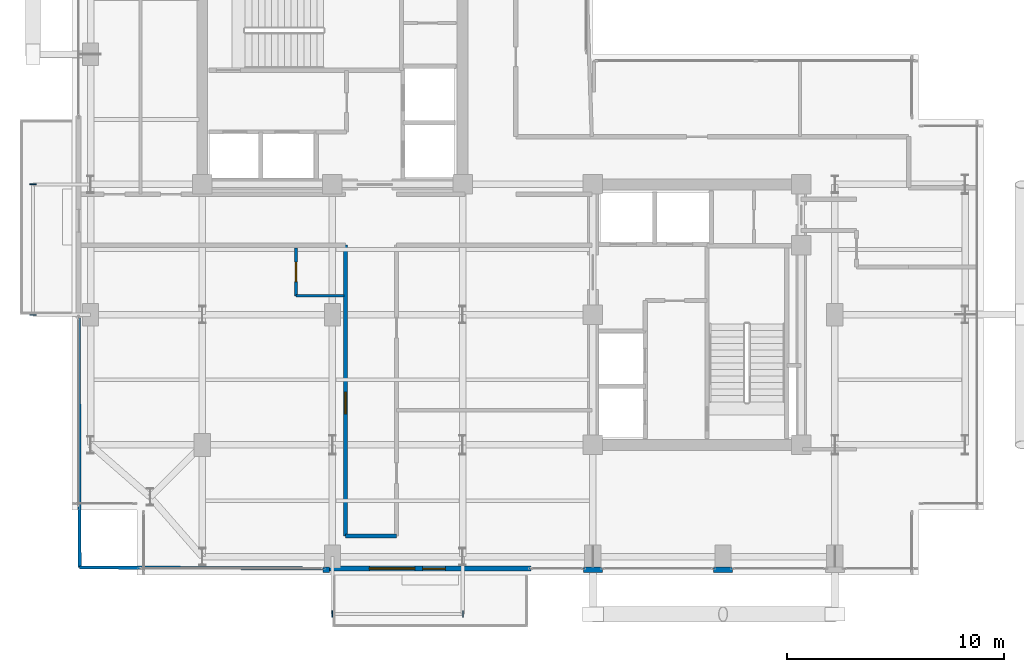
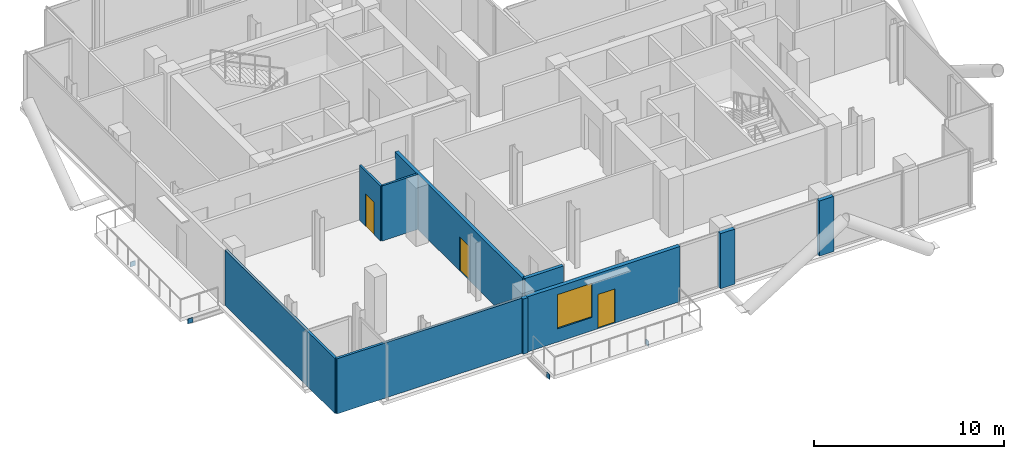
# One storey, part 16 of 21: 10 walls, 4 plates, 3 doors, 1 window, 4 openings.
"""IFC4 building model written with IfcOpenShell, lengths in metres."""

from ifc_helpers import new_model, si_unit, direction, frame, frame_2d, origin, origin_2d, place, context, subcontext, project, spatial, rectangle, extrude, material, layer, layer_set, type_object, element, fill, save


model = new_model("IFC4")

# Units and contexts
model_context = context("Model", 3, precision=1e-05, world=origin(), true_north=direction((0.0, 1.0)))
body_context = subcontext(model_context, "Body", "Model", "MODEL_VIEW")
ifc_project = project(units=[si_unit("LENGTHUNIT", "METRE"), si_unit("AREAUNIT", "SQUARE_METRE"), si_unit("VOLUMEUNIT", "CUBIC_METRE"), si_unit("PLANEANGLEUNIT", "RADIAN"), si_unit("MASSUNIT", "GRAM", prefix="KILO"), si_unit("THERMODYNAMICTEMPERATUREUNIT", "KELVIN"), si_unit("POWERUNIT", "WATT")], contexts=[model_context])

# Site, building, storey
site_placement = place(None, origin())
site = spatial("IfcSite", under=ifc_project, at=site_placement, CompositionType="ELEMENT")
building_placement = place(site_placement, origin())
building = spatial("IfcBuilding", under=site, at=building_placement, Name="Svarakhadi Broadcast Tower", CompositionType="ELEMENT")
storey_placement = place(building_placement, frame((0.0, 0.0, 223.64990234375)))
storey = spatial("IfcBuildingStorey", under=building, at=storey_placement, Name="L55", CompositionType="ELEMENT", Elevation=223.64990234375)

# Plates
ifc_material_1 = material(Name="Steel S460ML (IS 2062 E450BR)", Category="steel")
ifc_layer_1 = layer(ifc_material_1, 0.028076171875)
ifc_layer_set_1 = layer_set([ifc_layer_1], Name="Steel S460ML (IS 2062 E450BR)")
plate_type = type_object("IfcPlateType", Name="Cap_Plate_CP02", PredefinedType="USERDEFINED", material=ifc_layer_set_1)
for number, where, z_axis, x_axis, name in (
    (1, (11.985107421875, -1.800048828125, -0.5048828125), (0.0, 0.0, 1.0), (1.0, 0.0, 0.0), "L55 Balcony Spandrel End Cap Plate 1F-A"),
    (2, (18.014892578125, -1.800048828125, -0.5048828125), (0.0, 0.0, 1.0), (1.0, 0.0, 0.0), "L55 Balcony Spandrel End Cap Plate 1F-B"),
):
    element("IfcPlate", number, at=place(storey_placement, frame(where, z_axis=z_axis, x_axis=x_axis)), inside=storey, type_object=plate_type, Name=name, ObjectType="FLANGE_PLATE", PredefinedType="USERDEFINED", context=body_context, shape_type="SweptSolid", body=[
        extrude(rectangle(XDim=0.0400390625, YDim=0.300048828125, at=origin_2d()), origin(), (0.0, 0.0, 1.0), 0.31005859375),
    ])
for number, where, z_axis, x_axis, name in (
    (3, (-1.800048828125, 11.985107421875, -0.5048828125), (0.0, 0.0, 1.0), (1.0, 0.0, 0.0), "L55 Balcony Spandrel End Cap Plate 2F-A"),
    (4, (-1.800048828125, 18.014892578125, -0.5048828125), (0.0, 0.0, 1.0), (1.0, 0.0, 0.0), "L55 Balcony Spandrel End Cap Plate 2F-B"),
):
    element("IfcPlate", number, at=place(storey_placement, frame(where, z_axis=z_axis, x_axis=x_axis)), inside=storey, type_object=plate_type, Name=name, ObjectType="FLANGE_PLATE", PredefinedType="USERDEFINED", context=body_context, shape_type="SweptSolid", body=[
        extrude(rectangle(XDim=0.300048828125, YDim=0.0400390625, at=origin_2d()), origin(), (0.0, 0.0, 1.0), 0.31005859375),
    ])

# Wall, openings, door, window
ifc_material_2 = material(Name="Concrete C40/50 (IS 456 M50)", Category="concrete")
ifc_layer_2 = layer(ifc_material_2, 0.239990234375)
ifc_layer_set_2 = layer_set([ifc_layer_2], Name="Concrete C40/50 (IS 456 M50)")
wall_type_1 = type_object("IfcWallType", Name="Wall_Ext_240", PredefinedType="SOLIDWALL", material=ifc_layer_set_2)
wall_1_placement = place(storey_placement, frame((21.14501953125, 0.300048828125, 0.0), z_axis=(0.0, 0.0, 1.0), x_axis=(-1.0, 0.0, 0.0)))
wall_1 = element("IfcWall", 5, at=wall_1_placement, inside=storey, type_object=wall_type_1, Name="L55 South Tree Balcony Spandrel Wall", PredefinedType="SOLIDWALL", context=body_context, shape_type="SweptSolid", body=[
    extrude(rectangle(XDim=9.2900390625, YDim=0.239990234375, at=frame_2d((4.64501953125, 0.0))), origin(), (0.0, 0.0, 1.0), 3.5400390625),
])
opening_1_placement = place(wall_1_placement, frame((3.945068359375, 0.0, 0.0)))
opening_1 = element("IfcOpeningElement", 6, at=opening_1_placement, cuts=wall_1, Name="Opening ED-05", PredefinedType="OPENING", context=body_context, shape_type="SweptSolid", body=[
    extrude(rectangle(XDim=1.050048828125, YDim=2.199951171875, at=frame_2d((0.52490234375, 1.10009765625))), frame((0.0, 0.1298828125, 0.0), z_axis=(0.0, -1.0, 0.0), x_axis=(1.0, 0.0, 0.0)), (0.0, 0.0, 1.0), 0.260009765625),
])
opening_2_placement = place(wall_1_placement, frame((5.344970703125, 0.0, 0.85009765625)))
opening_2 = element("IfcOpeningElement", 7, at=opening_2_placement, cuts=wall_1, Name="Opening WN-06", PredefinedType="OPENING", context=body_context, shape_type="SweptSolid", body=[
    extrude(rectangle(XDim=2.10009765625, YDim=2.199951171875, at=frame_2d((1.050048828125, 1.10009765625))), frame((0.0, 0.1298828125, 0.0), z_axis=(0.0, -1.0, 0.0), x_axis=(1.0, 0.0, 0.0)), (0.0, 0.0, 1.0), 0.260009765625),
])
ifc_material_3 = material(Name="Anodised Bronze Aluminium AA 6063-T6", Category="aluminium")
door_type_1 = type_object("IfcDoorType", Name="Door_Ext_ED05", OperationType="SINGLE_SWING_LEFT", PredefinedType="DOOR", material=ifc_material_3)
door_1_placement = place(opening_1_placement, origin())
door_1 = element("IfcDoor", 8, at=door_1_placement, inside=storey, type_object=door_type_1, Name="L55 South Tree Balcony Door", OperationType="SINGLE_SWING_LEFT", OverallHeight=2.199951171875, OverallWidth=1.050048828125, PredefinedType="DOOR", context=body_context, shape_type="SweptSolid", body=[
    extrude(rectangle(XDim=1.050048828125, YDim=2.199951171875, at=frame_2d((0.52490234375, 1.10009765625))), frame((0.0, 0.02490234375, 0.0), z_axis=(0.0, -1.0, 0.0), x_axis=(1.0, 0.0, 0.0)), (0.0, 0.0, 1.0), 0.050048828125),
])
fill(opening_1, door_1)
ifc_material_4 = material(Name="Double Low-E Laminated Acoustic Glass IGU 36 mm", Category="glass")
window_type = type_object("IfcWindowType", Name="Win_Hotel_WN06", PartitioningType="SINGLE_PANEL", PredefinedType="WINDOW", material=ifc_material_4)
window_placement = place(opening_2_placement, origin())
window = element("IfcWindow", 9, at=window_placement, inside=storey, type_object=window_type, Name="L55 South Tree Balcony Window", OverallHeight=2.199951171875, OverallWidth=2.10009765625, PartitioningType="SINGLE_PANEL", PredefinedType="WINDOW", context=body_context, shape_type="SweptSolid", body=[
    extrude(rectangle(XDim=2.10009765625, YDim=2.199951171875, at=frame_2d((1.050048828125, 1.10009765625))), frame((0.0, 0.030029296875, 0.0), z_axis=(0.0, -1.0, 0.0), x_axis=(1.0, 0.0, 0.0)), (0.0, 0.0, 1.0), 0.06005859375),
])
fill(opening_2, window)

# Walls
for number, where, z_axis, x_axis, name in (
    (10, (30.43994140625, 0.239990234375, 0.0), (0.0, 0.0, 1.0), (-1.0, 0.0, 0.0), "L55 Perimeter Bronze Spandrel Closure Wall 04"),
    (11, (24.43994140625, 0.239990234375, 0.0), (0.0, 0.0, 1.0), (-1.0, 0.0, 0.0), "L55 Perimeter Bronze Spandrel Closure Wall 05"),
):
    element("IfcWall", number, at=place(storey_placement, frame(where, z_axis=z_axis, x_axis=x_axis)), inside=storey, type_object=wall_type_1, Name=name, PredefinedType="SOLIDWALL", context=body_context, shape_type="SweptSolid", body=[
        extrude(rectangle(XDim=0.8798828125, YDim=0.239990234375, at=frame_2d((0.43994140625, 0.0))), origin(), (0.0, 0.0, 1.0), 3.5400390625),
    ])
wall_2_placement = place(storey_placement, frame((11.85498046875, 0.239990234375, 0.0), z_axis=(0.0, 0.0, 1.0), x_axis=(-1.0, 0.0, 0.0)))
element("IfcWall", 12, at=wall_2_placement, inside=storey, type_object=wall_type_1, Name="L55 Perimeter Bronze Spandrel Closure Wall 06", PredefinedType="SOLIDWALL", context=body_context, shape_type="SweptSolid", body=[
    extrude(rectangle(XDim=0.294921875, YDim=0.239990234375, at=frame_2d((0.1474609375, 0.0))), origin(), (0.0, 0.0, 1.0), 3.5400390625),
])
ifc_layer_3 = layer(ifc_material_2, 0.199951171875)
ifc_layer_set_3 = layer_set([ifc_layer_3], Name="Concrete C40/50 (IS 456 M50)")
wall_type_2 = type_object("IfcWallType", Name="Wall_Fire_200", PredefinedType="SOLIDWALL", material=ifc_layer_set_3)
wall_3_placement = place(storey_placement, frame((14.949951171875, 1.800048828125, 0.0), z_axis=(0.0, 0.0, 1.0), x_axis=(-1.0, 0.0, 0.0)))
element("IfcWall", 13, at=wall_3_placement, inside=storey, type_object=wall_type_2, Name="L55 Upper Tower Concourse Wall", PredefinedType="SOLIDWALL", context=body_context, shape_type="SweptSolid", body=[
    extrude(rectangle(XDim=2.349853515625, YDim=0.199951171875, at=frame_2d((1.1748046875, 0.0))), origin(), (0.0, 0.0, 1.0), 3.5400390625),
])

# Wall, opening, door
wall_4_placement = place(storey_placement, frame((12.60009765625, 1.800048828125, 0.0), z_axis=(0.0, 0.0, 1.0), x_axis=(0.0, 1.0, 0.0)))
wall_4 = element("IfcWall", 14, at=wall_4_placement, inside=storey, type_object=wall_type_2, Name="L55 Upper Tower Concourse Wall", PredefinedType="SOLIDWALL", context=body_context, shape_type="SweptSolid", body=[
    extrude(rectangle(XDim=13.39990234375, YDim=0.199951171875, at=frame_2d((6.699951171875, 0.0))), origin(), (0.0, 0.0, 1.0), 3.5400390625),
])
opening_3_placement = place(wall_4_placement, frame((5.625, 0.0, 0.0)))
opening_3 = element("IfcOpeningElement", 15, at=opening_3_placement, cuts=wall_4, Name="Opening D-09", PredefinedType="OPENING", context=body_context, shape_type="SweptSolid", body=[
    extrude(rectangle(XDim=1.0, YDim=2.199951171875, at=frame_2d((0.5, 1.10009765625))), frame((0.0, 0.10986328125, 0.0), z_axis=(0.0, -1.0, 0.0), x_axis=(1.0, 0.0, 0.0)), (0.0, 0.0, 1.0), 0.219970703125),
])
ifc_material_5 = material(Name="Solid-Core Teak Veneer Acoustic Timber Leaf", Category="wood")
door_type_2 = type_object("IfcDoorType", Name="Door_Suite_D09", OperationType="SINGLE_SWING_RIGHT", PredefinedType="DOOR", material=ifc_material_5)
door_2_placement = place(opening_3_placement, origin())
door_2 = element("IfcDoor", 16, at=door_2_placement, inside=storey, type_object=door_type_2, Name="L55 Royal Broadcast Ambassador Suite Entrance Door", OperationType="SINGLE_SWING_RIGHT", OverallHeight=2.199951171875, OverallWidth=1.0, PredefinedType="DOOR", context=body_context, shape_type="SweptSolid", body=[
    extrude(rectangle(XDim=1.0, YDim=2.199951171875, at=frame_2d((0.5, 1.10009765625))), frame((0.0, 0.02490234375, 0.0), z_axis=(0.0, -1.0, 0.0), x_axis=(1.0, 0.0, 0.0)), (0.0, 0.0, 1.0), 0.050048828125),
])
fill(opening_3, door_2)

# Wall
ifc_material_6 = material(Name="Fire-Rated Moisture-Resistant Gypsum Board Partition", Category="gypsum")
ifc_layer_4 = layer(ifc_material_6, 0.125)
ifc_layer_set_4 = layer_set([ifc_layer_4], Name="Fire-Rated Moisture-Resistant Gypsum Board Partition")
wall_type_3 = type_object("IfcWallType", Name="Wall_Part_125", PredefinedType="PARTITIONING", material=ifc_layer_set_4)
wall_5_placement = place(storey_placement, frame((10.320068359375, 12.8701171875, 0.0), z_axis=(0.0, 0.0, 1.0), x_axis=(1.0, 0.0, 0.0)))
element("IfcWall", 17, at=wall_5_placement, inside=storey, type_object=wall_type_3, Name="L55 Royal Broadcast Ambassador Suite En-Suite Wall", PredefinedType="PARTITIONING", context=body_context, shape_type="SweptSolid", body=[
    extrude(rectangle(XDim=2.199951171875, YDim=0.125, at=frame_2d((1.10009765625, 0.0))), origin(), (0.0, 0.0, 1.0), 3.5400390625),
])

# Wall, opening, door
wall_6_placement = place(storey_placement, frame((10.320068359375, 12.8701171875, 0.0), z_axis=(0.0, 0.0, 1.0), x_axis=(0.0, 1.0, 0.0)))
wall_6 = element("IfcWall", 18, at=wall_6_placement, inside=storey, type_object=wall_type_3, Name="L55 Royal Broadcast Ambassador Suite En-Suite Wall", PredefinedType="PARTITIONING", context=body_context, shape_type="SweptSolid", body=[
    extrude(rectangle(XDim=2.199951171875, YDim=0.125, at=frame_2d((1.10009765625, 0.0))), origin(), (0.0, 0.0, 1.0), 3.5400390625),
])
opening_4_placement = place(wall_6_placement, frame((0.64990234375, 0.0, 0.0)))
opening_4 = element("IfcOpeningElement", 19, at=opening_4_placement, cuts=wall_6, Name="Opening D-13", PredefinedType="OPENING", context=body_context, shape_type="SweptSolid", body=[
    extrude(rectangle(XDim=0.89990234375, YDim=2.10009765625, at=frame_2d((0.449951171875, 1.050048828125))), frame((0.0, 0.072509765625, 0.0), z_axis=(0.0, -1.0, 0.0), x_axis=(1.0, 0.0, 0.0)), (0.0, 0.0, 1.0), 0.14501953125),
])
door_type_3 = type_object("IfcDoorType", Name="Door_Closet_D13", OperationType="SINGLE_SWING_RIGHT", PredefinedType="DOOR", material=ifc_material_5)
door_3_placement = place(opening_4_placement, origin())
door_3 = element("IfcDoor", 20, at=door_3_placement, inside=storey, type_object=door_type_3, Name="L55 Royal Broadcast Ambassador Suite En-Suite Door", OperationType="SINGLE_SWING_RIGHT", OverallHeight=2.10009765625, OverallWidth=0.89990234375, PredefinedType="DOOR", context=body_context, shape_type="SweptSolid", body=[
    extrude(rectangle(XDim=0.89990234375, YDim=2.10009765625, at=frame_2d((0.449951171875, 1.050048828125))), frame((0.0, 0.02490234375, 0.0), z_axis=(0.0, -1.0, 0.0), x_axis=(1.0, 0.0, 0.0)), (0.0, 0.0, 1.0), 0.050048828125),
])
fill(opening_4, door_3)

# Walls
ifc_material_7 = material(Name="Autoclaved Aerated Concrete Blockwork 150 mm", Category="masonry")
ifc_layer_5 = layer(ifc_material_7, 0.14990234375)
ifc_layer_set_5 = layer_set([ifc_layer_5], Name="Autoclaved Aerated Concrete Blockwork 150 mm")
wall_type_4 = type_object("IfcWallType", Name="Wall_Part_150", PredefinedType="PARTITIONING", material=ifc_layer_set_5)
wall_7_placement = place(storey_placement, frame((0.35009765625, 0.35009765625, 0.0), z_axis=(0.0, 0.0, 1.0), x_axis=(0.999991617913, -0.004094398993, 0.0)))
element("IfcWall", 21, at=wall_7_placement, inside=storey, type_object=wall_type_4, Name="L55 Royal Broadcast Ambassador Suite Wall", PredefinedType="PARTITIONING", context=body_context, shape_type="SweptSolid", body=[
    extrude(rectangle(XDim=11.2099609375, YDim=0.14990234375, at=frame_2d((5.60498046875, 0.0))), origin(), (0.0, 0.0, 1.0), 3.5400390625),
])
wall_8_placement = place(storey_placement, frame((0.35009765625, 0.35009765625, 0.0), z_axis=(0.0, 0.0, 1.0), x_axis=(-0.003374057698, 0.999994307851, 0.0)))
element("IfcWall", 22, at=wall_8_placement, inside=storey, type_object=wall_type_4, Name="L55 Royal Broadcast Ambassador Suite Wall", PredefinedType="PARTITIONING", context=body_context, shape_type="SweptSolid", body=[
    extrude(rectangle(XDim=11.5048828125, YDim=0.14990234375, at=frame_2d((5.75244140625, 0.0))), origin(), (0.0, 0.0, 1.0), 3.5400390625),
])

save(model, "model.ifc")
